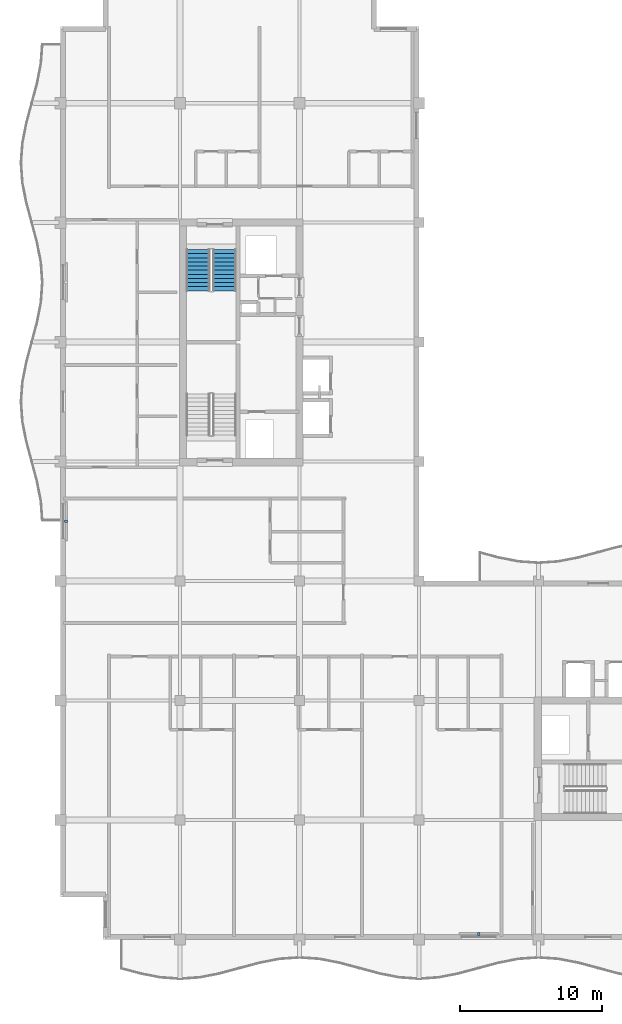
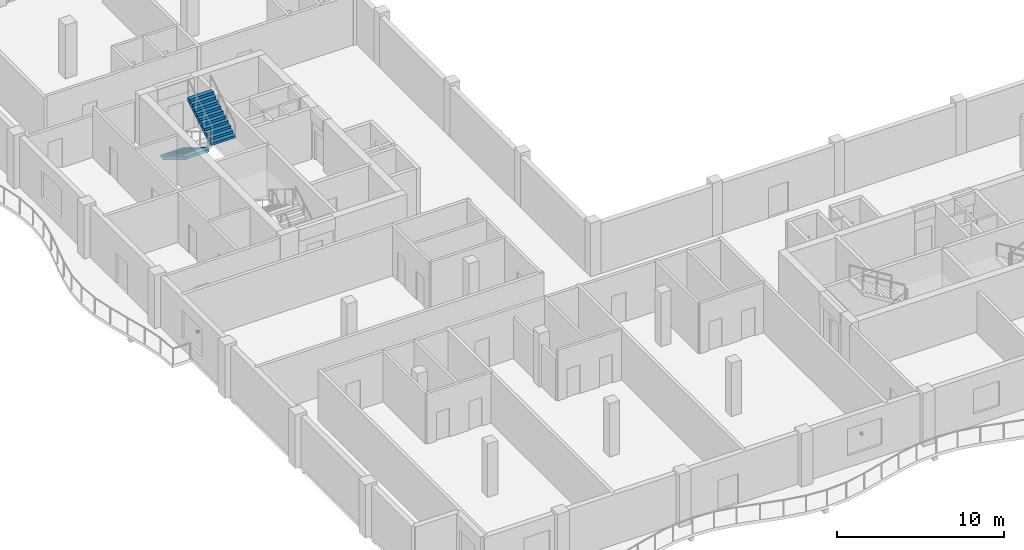
# One storey, part 10 of 15: 2 discrete accessories, 2 stair flights, 1 element without a shape of its own.
"""IFC4 building model written with IfcOpenShell, lengths in metres."""

from ifc_helpers import new_model, si_unit, direction, frame, origin, origin_2d, place, context, subcontext, project, spatial, polyline, rectangle, outline, extrude, material, type_object, element, aggregate, save


model = new_model("IFC4")

# Units and contexts
model_context = context("Model", 3, precision=1e-05, world=origin(), true_north=direction((0.0, 1.0)))
body_context = subcontext(model_context, "Body", "Model", "MODEL_VIEW")
ifc_project = project(units=[si_unit("LENGTHUNIT", "METRE"), si_unit("AREAUNIT", "SQUARE_METRE"), si_unit("VOLUMEUNIT", "CUBIC_METRE"), si_unit("PLANEANGLEUNIT", "RADIAN"), si_unit("MASSUNIT", "GRAM", prefix="KILO")], contexts=[model_context])

# Site, building, storey
site_placement = place(None, origin())
site = spatial("IfcSite", under=ifc_project, at=site_placement, CompositionType="ELEMENT")
building_placement = place(site_placement, origin())
building = spatial("IfcBuilding", under=site, at=building_placement, Name="Koriwani Terraces Tower", CompositionType="ELEMENT")
storey_placement = place(building_placement, frame((0.0, 0.0, 300.800048828125)))
storey = spatial("IfcBuildingStorey", under=building, at=storey_placement, Name="L74", CompositionType="ELEMENT", Elevation=300.800048828125)

# Stair, stair flights
ifc_material_1 = material(Name="Concrete C40/50", Category="concrete")
stair_type = type_object("IfcStairType", Name="STAIR_CORE_DOGLEG_1650", PredefinedType="TWO_STRAIGHT_RUN_STAIR", material=ifc_material_1)
stair_placement = place(storey_placement, origin())
stair = element("IfcStair", 1, at=stair_placement, inside=storey, type_object=stair_type, Name="L74 West Core Exit Stair 2", PredefinedType="HALF_TURN_STAIR")
stair_flight_type = type_object("IfcStairFlightType", Name="STAIR_FLIGHT_RC_1650", PredefinedType="STRAIGHT", material=ifc_material_1)
stair_flight_1_placement = place(storey_placement, frame((18.074951171875, 56.89990234375, 0.0), z_axis=(0.0, 0.0, 1.0), x_axis=(0.0, -1.0, 0.0)))
stair_flight_1 = element("IfcStairFlight", 2, at=stair_flight_1_placement, type_object=stair_flight_type, Name="ST-W2 flight 1", NumberOfRisers=11, NumberOfTreads=10, PredefinedType="STRAIGHT", RiserHeight=0.177272727, TreadLength=0.29, context=body_context, shape_type="SweptSolid", body=[
    extrude(outline(polyline([(0.0, 0.0), (0.0, 0.17724609375), (0.2900390625, 0.17724609375), (0.2900390625, 0.3544921875), (0.580078125, 0.3544921875), (0.580078125, 0.53173828125), (0.8701171875, 0.53173828125), (0.8701171875, 0.708984375), (1.159912109375, 0.708984375), (1.159912109375, 0.886474609375), (1.449951171875, 0.886474609375), (1.449951171875, 1.063720703125), (1.739990234375, 1.063720703125), (1.739990234375, 1.240966796875), (2.030029296875, 1.240966796875), (2.030029296875, 1.418212890625), (2.320068359375, 1.418212890625), (2.320068359375, 1.595458984375), (2.610107421875, 1.595458984375), (2.610107421875, 1.772705078125), (2.89990234375, 1.772705078125), (2.89990234375, 1.949951171875), (2.89990234375, 1.561767578125), (0.344970703125, 0.0), (0.0, 0.0)])), frame((0.0, 0.824951171875, 0.0), z_axis=(0.0, -1.0, 0.0), x_axis=(1.0, 0.0, 0.0)), (0.0, 0.0, 1.0), 1.64990234375),
])
stair_flight_2_placement = place(storey_placement, frame((19.925048828125, 54.0, 1.949951171875), z_axis=(0.0, 0.0, 1.0), x_axis=(0.0, 1.0, 0.0)))
stair_flight_2 = element("IfcStairFlight", 3, at=stair_flight_2_placement, type_object=stair_flight_type, Name="ST-W2 flight 2", NumberOfRisers=11, NumberOfTreads=10, PredefinedType="STRAIGHT", RiserHeight=0.177272727, TreadLength=0.29, context=body_context, shape_type="SweptSolid", body=[
    extrude(outline(polyline([(0.0, 0.0), (0.0, 0.17724609375), (0.2900390625, 0.17724609375), (0.2900390625, 0.3544921875), (0.580078125, 0.3544921875), (0.580078125, 0.53173828125), (0.8701171875, 0.53173828125), (0.8701171875, 0.708984375), (1.159912109375, 0.708984375), (1.159912109375, 0.886474609375), (1.449951171875, 0.886474609375), (1.449951171875, 1.063720703125), (1.739990234375, 1.063720703125), (1.739990234375, 1.240966796875), (2.030029296875, 1.240966796875), (2.030029296875, 1.418212890625), (2.320068359375, 1.418212890625), (2.320068359375, 1.595458984375), (2.610107421875, 1.595458984375), (2.610107421875, 1.772705078125), (2.89990234375, 1.772705078125), (2.89990234375, 1.949951171875), (2.89990234375, 1.561767578125), (0.344970703125, 0.0), (0.0, 0.0)])), frame((0.0, 0.824951171875, 0.0), z_axis=(0.0, -1.0, 0.0), x_axis=(1.0, 0.0, 0.0)), (0.0, 0.0, 1.0), 1.64990234375),
])
aggregate(stair, [stair_flight_1, stair_flight_2])

# Discrete accessories
ifc_material_2 = material(Name="Steel ASTM A572 Grade 50", Category="steel")
discrete_accessory_type = type_object("IfcDiscreteAccessoryType", Name="BAGUETTE_STANDOFF_BRACKET", PredefinedType="BRACKET", material=ifc_material_2)
for number, where, z_axis, x_axis, name in (
    (4, (8.7900390625, 37.800048828125, 1.7451171875), (0.0, 0.0, 1.0), (0.0, 1.0, 0.0), "L74 Terracotta Baguette Bracket (W-9)"),
    (5, (37.800048828125, 8.7900390625, 1.7451171875), (0.0, 0.0, 1.0), (-1.0, 0.0, 0.0), "L74 Terracotta Baguette Bracket (S-9)"),
):
    element("IfcDiscreteAccessory", number, at=place(storey_placement, frame(where, z_axis=z_axis, x_axis=x_axis)), inside=storey, type_object=discrete_accessory_type, Name=name, PredefinedType="BRACKET", context=body_context, shape_type="SweptSolid", body=[
        extrude(rectangle(XDim=0.159912109375, YDim=0.199951171875, at=origin_2d()), origin(), (0.0, 0.0, 1.0), 0.179931640625),
    ])

save(model, "model.ifc")
